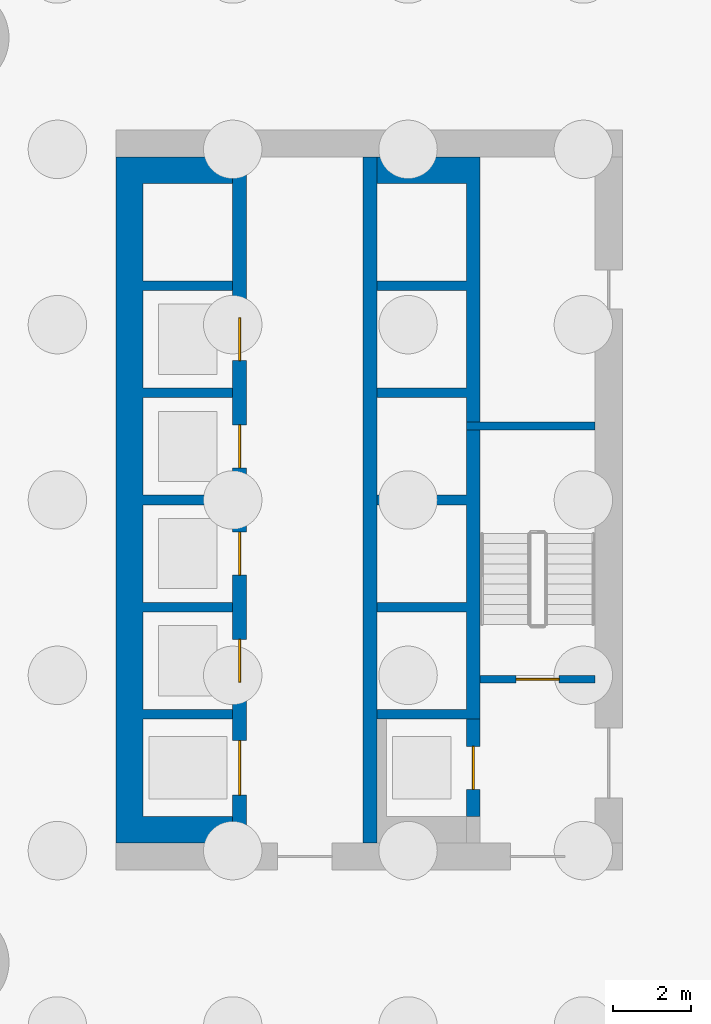
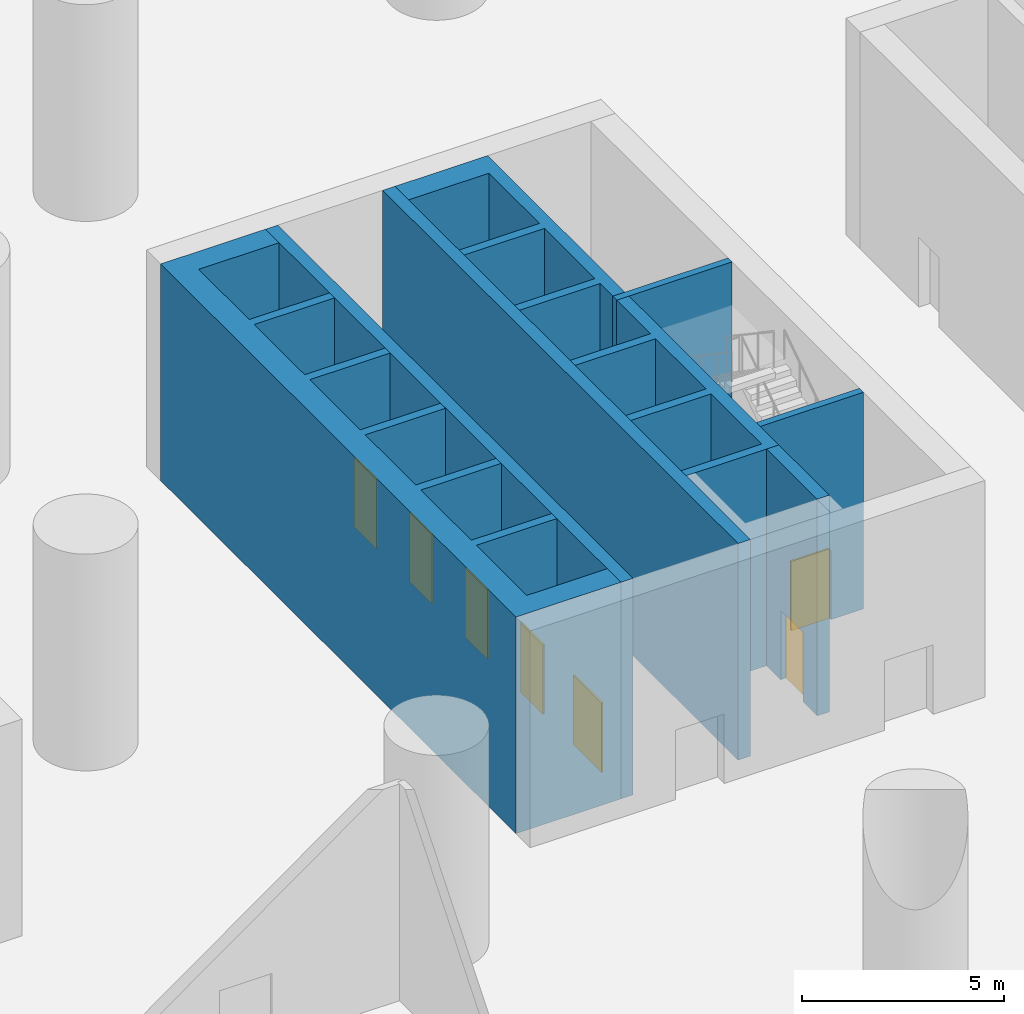
# One storey, part 5 of 13: 7 doors, 7 walls, 7 openings.
"""IFC4 building model written with IfcOpenShell, lengths in metres."""

from ifc_helpers import new_model, si_unit, direction, frame, frame_2d, origin, place, context, subcontext, project, spatial, polyline, rectangle, outline, extrude, material, layer, layer_set, type_object, element, fill, save


model = new_model("IFC4")

# Units and contexts
model_context = context("Model", 3, precision=1e-05, world=origin(), true_north=direction((0.0, 1.0)))
body_context = subcontext(model_context, "Body", "Model", "MODEL_VIEW")
ifc_project = project(units=[si_unit("LENGTHUNIT", "METRE"), si_unit("AREAUNIT", "SQUARE_METRE"), si_unit("VOLUMEUNIT", "CUBIC_METRE"), si_unit("PLANEANGLEUNIT", "RADIAN"), si_unit("MASSUNIT", "GRAM", prefix="KILO")], contexts=[model_context])

# Site, building, storey
site_placement = place(None, origin())
site = spatial("IfcSite", under=ifc_project, at=site_placement, CompositionType="ELEMENT")
building_placement = place(site_placement, origin())
building = spatial("IfcBuilding", under=site, at=building_placement, Name="Tamarind Cross Interchange Tower", CompositionType="ELEMENT")
storey_placement = place(building_placement, frame((0.0, 0.0, -21.0)))
storey = spatial("IfcBuildingStorey", under=building, at=storey_placement, Name="B3", CompositionType="ELEMENT", Elevation=-21.0)

# Walls
ifc_material_1 = material(Name="Concrete C80", Category="concrete")
ifc_layer_1 = layer(ifc_material_1, 0.699951171875)
ifc_layer_set_1 = layer_set([ifc_layer_1], Name="Concrete C80")
wall_type_1 = type_object("IfcWallType", Name="Core wall 700 mm Concrete C80", PredefinedType="SHEAR", material=ifc_layer_set_1)
wall_1_placement = place(storey_placement, origin())
element("IfcWall", 1, at=wall_1_placement, inside=storey, type_object=wall_type_1, Name="Core wall CWL-B3-W-A", PredefinedType="SHEAR", context=body_context, shape_type="SweptSolid", body=[
    extrude(outline(polyline([(-13.5, -8.800048828125), (-13.5, -8.125), (-15.800048828125, -8.125), (-15.800048828125, -5.625), (-13.5, -5.625), (-13.5, -5.375), (-15.800048828125, -5.375), (-15.800048828125, -2.875), (-13.5, -2.875), (-13.5, -2.625), (-15.800048828125, -2.625), (-15.800048828125, -0.125), (-13.5, -0.125), (-13.5, 0.125), (-15.800048828125, 0.125), (-15.800048828125, 2.625), (-13.5, 2.625), (-13.5, 2.875), (-15.800048828125, 2.875), (-15.800048828125, 5.375), (-13.5, 5.375), (-13.5, 5.625), (-15.800048828125, 5.625), (-15.800048828125, 8.125), (-13.5, 8.125), (-13.5, 8.800048828125), (-15.800048828125, 8.800048828125), (-16.5, 8.800048828125), (-16.5, -8.800048828125), (-15.800048828125, -8.800048828125), (-13.5, -8.800048828125)])), origin(), (0.0, 0.0, 1.0), 6.550048828125),
])
ifc_layer_2 = layer(ifc_material_1, 0.199951171875)
ifc_layer_set_2 = layer_set([ifc_layer_2], Name="Concrete C80")
wall_type_2 = type_object("IfcWallType", Name="Core web wall 200 mm Concrete C80", PredefinedType="SHEAR", material=ifc_layer_set_2)
wall_2_placement = place(storey_placement, frame((-7.5, 1.89990234375, 0.0), z_axis=(0.0, 0.0, 1.0), x_axis=(1.0, 0.0, 0.0)))
element("IfcWall", 2, at=wall_2_placement, inside=storey, type_object=wall_type_2, Name="Core wall CWL-B3-W-BD", PredefinedType="SHEAR", context=body_context, shape_type="SweptSolid", body=[
    extrude(rectangle(XDim=3.300048828125, YDim=0.199951171875, at=frame_2d((1.64990234375, 0.0))), origin(), (0.0, 0.0, 1.0), 6.550048828125),
])
ifc_layer_3 = layer(ifc_material_1, 0.35009765625)
ifc_layer_set_3 = layer_set([ifc_layer_3], Name="Concrete C80")
wall_type_3 = type_object("IfcWallType", Name="Core web wall 350 mm Concrete C80", PredefinedType="SHEAR", material=ifc_layer_set_3)
wall_3_placement = place(storey_placement, origin())
element("IfcWall", 3, at=wall_3_placement, inside=storey, type_object=wall_type_3, Name="Core wall CWL-B3-W-BN", PredefinedType="SHEAR", context=body_context, shape_type="SweptSolid", body=[
    extrude(outline(polyline([(-9.800048828125, -5.375), (-9.800048828125, -5.625), (-7.5, -5.625), (-7.14990234375, -5.625), (-7.14990234375, 8.800048828125), (-7.5, 8.800048828125), (-9.800048828125, 8.800048828125), (-9.800048828125, 8.125), (-7.5, 8.125), (-7.5, 5.625), (-9.800048828125, 5.625), (-9.800048828125, 5.375), (-7.5, 5.375), (-7.5, 2.875), (-9.800048828125, 2.875), (-9.800048828125, 2.625), (-7.5, 2.625), (-7.5, 0.125), (-9.800048828125, 0.125), (-9.800048828125, -0.125), (-7.5, -0.125), (-7.5, -2.625), (-9.800048828125, -2.625), (-9.800048828125, -2.875), (-7.5, -2.875), (-7.5, -5.375), (-9.800048828125, -5.375)])), origin(), (0.0, 0.0, 1.0), 6.550048828125),
])

# Wall, openings, doors
wall_4_placement = place(storey_placement, frame((-13.324951171875, -8.800048828125, 0.0), z_axis=(0.0, 0.0, 1.0), x_axis=(0.0, 1.0, 0.0)))
wall_4 = element("IfcWall", 4, at=wall_4_placement, inside=storey, type_object=wall_type_3, Name="Core wall CWL-B3-W-LA", PredefinedType="SHEAR", context=body_context, shape_type="SweptSolid", body=[
    extrude(rectangle(XDim=17.60009765625, YDim=0.35009765625, at=frame_2d((8.800048828125, 0.0))), origin(), (0.0, 0.0, 1.0), 6.550048828125),
])
opening_1_placement = place(wall_4_placement, frame((1.22509765625, 0.0, 0.0)))
opening_1 = element("IfcOpeningElement", 5, at=opening_1_placement, cuts=wall_4, Name="Opening LD1B3", PredefinedType="OPENING", context=body_context, shape_type="SweptSolid", body=[
    extrude(rectangle(XDim=1.39990234375, YDim=2.10009765625, at=frame_2d((0.699951171875, 1.050048828125))), frame((0.0, 0.18505859375, 0.0), z_axis=(0.0, -1.0, 0.0), x_axis=(1.0, 0.0, 0.0)), (0.0, 0.0, 1.0), 0.3701171875),
])
opening_2_placement = place(wall_4_placement, frame((4.125, 0.0, 0.0)))
opening_2 = element("IfcOpeningElement", 6, at=opening_2_placement, cuts=wall_4, Name="Opening LD2B3", PredefinedType="OPENING", context=body_context, shape_type="SweptSolid", body=[
    extrude(rectangle(XDim=1.10009765625, YDim=2.10009765625, at=frame_2d((0.550048828125, 1.050048828125))), frame((0.0, 0.18505859375, 0.0), z_axis=(0.0, -1.0, 0.0), x_axis=(1.0, 0.0, 0.0)), (0.0, 0.0, 1.0), 0.3701171875),
])
opening_3_placement = place(wall_4_placement, frame((6.875, 0.0, 0.0)))
opening_3 = element("IfcOpeningElement", 7, at=opening_3_placement, cuts=wall_4, Name="Opening LD3B3", PredefinedType="OPENING", context=body_context, shape_type="SweptSolid", body=[
    extrude(rectangle(XDim=1.10009765625, YDim=2.10009765625, at=frame_2d((0.550048828125, 1.050048828125))), frame((0.0, 0.18505859375, 0.0), z_axis=(0.0, -1.0, 0.0), x_axis=(1.0, 0.0, 0.0)), (0.0, 0.0, 1.0), 0.3701171875),
])
opening_4_placement = place(wall_4_placement, frame((9.625, 0.0, 0.0)))
opening_4 = element("IfcOpeningElement", 8, at=opening_4_placement, cuts=wall_4, Name="Opening LD4B3", PredefinedType="OPENING", context=body_context, shape_type="SweptSolid", body=[
    extrude(rectangle(XDim=1.10009765625, YDim=2.10009765625, at=frame_2d((0.550048828125, 1.050048828125))), frame((0.0, 0.18505859375, 0.0), z_axis=(0.0, -1.0, 0.0), x_axis=(1.0, 0.0, 0.0)), (0.0, 0.0, 1.0), 0.3701171875),
])
opening_5_placement = place(wall_4_placement, frame((12.375, 0.0, 0.0)))
opening_5 = element("IfcOpeningElement", 9, at=opening_5_placement, cuts=wall_4, Name="Opening LD5B3", PredefinedType="OPENING", context=body_context, shape_type="SweptSolid", body=[
    extrude(rectangle(XDim=1.10009765625, YDim=2.10009765625, at=frame_2d((0.550048828125, 1.050048828125))), frame((0.0, 0.18505859375, 0.0), z_axis=(0.0, -1.0, 0.0), x_axis=(1.0, 0.0, 0.0)), (0.0, 0.0, 1.0), 0.3701171875),
])
ifc_material_2 = material(Name="Stainless steel panel", Category="steel")
door_type_1 = type_object("IfcDoorType", Name="Lift landing door 1100 x 2100 E 120", OperationType="SLIDING_TO_LEFT", PredefinedType="DOOR", material=ifc_material_2)
door_1_placement = place(opening_2_placement, origin())
door_1 = element("IfcDoor", 10, at=door_1_placement, inside=storey, type_object=door_type_1, Name="B3 landing door LF2", OperationType="SLIDING_TO_LEFT", OverallHeight=2.10009765625, OverallWidth=1.10009765625, PredefinedType="DOOR", context=body_context, shape_type="SweptSolid", body=[
    extrude(rectangle(XDim=1.10009765625, YDim=2.10009765625, at=frame_2d((0.550048828125, 1.050048828125))), frame((0.0, 0.02490234375, 0.0), z_axis=(0.0, -1.0, 0.0), x_axis=(1.0, 0.0, 0.0)), (0.0, 0.0, 1.0), 0.050048828125),
])
fill(opening_2, door_1)
door_2_placement = place(opening_3_placement, origin())
door_2 = element("IfcDoor", 11, at=door_2_placement, inside=storey, type_object=door_type_1, Name="B3 landing door LF3", OperationType="SLIDING_TO_LEFT", OverallHeight=2.10009765625, OverallWidth=1.10009765625, PredefinedType="DOOR", context=body_context, shape_type="SweptSolid", body=[
    extrude(rectangle(XDim=1.10009765625, YDim=2.10009765625, at=frame_2d((0.550048828125, 1.050048828125))), frame((0.0, 0.02490234375, 0.0), z_axis=(0.0, -1.0, 0.0), x_axis=(1.0, 0.0, 0.0)), (0.0, 0.0, 1.0), 0.050048828125),
])
fill(opening_3, door_2)
door_3_placement = place(opening_4_placement, origin())
door_3 = element("IfcDoor", 12, at=door_3_placement, inside=storey, type_object=door_type_1, Name="B3 landing door LF4", OperationType="SLIDING_TO_LEFT", OverallHeight=2.10009765625, OverallWidth=1.10009765625, PredefinedType="DOOR", context=body_context, shape_type="SweptSolid", body=[
    extrude(rectangle(XDim=1.10009765625, YDim=2.10009765625, at=frame_2d((0.550048828125, 1.050048828125))), frame((0.0, 0.02490234375, 0.0), z_axis=(0.0, -1.0, 0.0), x_axis=(1.0, 0.0, 0.0)), (0.0, 0.0, 1.0), 0.050048828125),
])
fill(opening_4, door_3)
door_4_placement = place(opening_5_placement, origin())
door_4 = element("IfcDoor", 13, at=door_4_placement, inside=storey, type_object=door_type_1, Name="B3 landing door LF5", OperationType="SLIDING_TO_LEFT", OverallHeight=2.10009765625, OverallWidth=1.10009765625, PredefinedType="DOOR", context=body_context, shape_type="SweptSolid", body=[
    extrude(rectangle(XDim=1.10009765625, YDim=2.10009765625, at=frame_2d((0.550048828125, 1.050048828125))), frame((0.0, 0.02490234375, 0.0), z_axis=(0.0, -1.0, 0.0), x_axis=(1.0, 0.0, 0.0)), (0.0, 0.0, 1.0), 0.050048828125),
])
fill(opening_5, door_4)
door_type_2 = type_object("IfcDoorType", Name="Lift landing door 1400 x 2100 E 120", OperationType="SLIDING_TO_LEFT", PredefinedType="DOOR", material=ifc_material_2)
door_5_placement = place(opening_1_placement, origin())
door_5 = element("IfcDoor", 14, at=door_5_placement, inside=storey, type_object=door_type_2, Name="B3 landing door LF1", OperationType="SLIDING_TO_LEFT", OverallHeight=2.10009765625, OverallWidth=1.39990234375, PredefinedType="DOOR", context=body_context, shape_type="SweptSolid", body=[
    extrude(rectangle(XDim=1.39990234375, YDim=2.10009765625, at=frame_2d((0.699951171875, 1.050048828125))), frame((0.0, 0.02490234375, 0.0), z_axis=(0.0, -1.0, 0.0), x_axis=(1.0, 0.0, 0.0)), (0.0, 0.0, 1.0), 0.050048828125),
])
fill(opening_1, door_5)

# Wall
wall_5_placement = place(storey_placement, frame((-9.97509765625, -8.800048828125, 0.0), z_axis=(0.0, 0.0, 1.0), x_axis=(0.0, 1.0, 0.0)))
element("IfcWall", 15, at=wall_5_placement, inside=storey, type_object=wall_type_3, Name="Core wall CWL-B3-W-LB", PredefinedType="SHEAR", context=body_context, shape_type="SweptSolid", body=[
    extrude(rectangle(XDim=17.60009765625, YDim=0.35009765625, at=frame_2d((8.800048828125, 0.0))), origin(), (0.0, 0.0, 1.0), 6.550048828125),
])

# Wall, opening, door
wall_6_placement = place(storey_placement, frame((-7.324951171875, -8.125, 0.0), z_axis=(0.0, 0.0, 1.0), x_axis=(0.0, 1.0, 0.0)))
wall_6 = element("IfcWall", 16, at=wall_6_placement, inside=storey, type_object=wall_type_3, Name="Core wall CWL-B3-W-FF", PredefinedType="SHEAR", context=body_context, shape_type="SweptSolid", body=[
    extrude(rectangle(XDim=2.5, YDim=0.35009765625, at=frame_2d((1.25, 0.0))), origin(), (0.0, 0.0, 1.0), 6.550048828125),
])
opening_6_placement = place(wall_6_placement, frame((0.699951171875, 0.0, 0.0)))
opening_6 = element("IfcOpeningElement", 17, at=opening_6_placement, cuts=wall_6, Name="Opening LD7B3", PredefinedType="OPENING", context=body_context, shape_type="SweptSolid", body=[
    extrude(rectangle(XDim=1.10009765625, YDim=2.10009765625, at=frame_2d((0.550048828125, 1.050048828125))), frame((0.0, 0.18505859375, 0.0), z_axis=(0.0, -1.0, 0.0), x_axis=(1.0, 0.0, 0.0)), (0.0, 0.0, 1.0), 0.3701171875),
])
door_6_placement = place(opening_6_placement, origin())
door_6 = element("IfcDoor", 18, at=door_6_placement, inside=storey, type_object=door_type_1, Name="B3 landing door LF7", OperationType="SLIDING_TO_LEFT", OverallHeight=2.10009765625, OverallWidth=1.10009765625, PredefinedType="DOOR", context=body_context, shape_type="SweptSolid", body=[
    extrude(rectangle(XDim=1.10009765625, YDim=2.10009765625, at=frame_2d((0.550048828125, 1.050048828125))), frame((0.0, 0.02490234375, 0.0), z_axis=(0.0, -1.0, 0.0), x_axis=(1.0, 0.0, 0.0)), (0.0, 0.0, 1.0), 0.050048828125),
])
fill(opening_6, door_6)

ifc_material_3 = material(Name="Concrete C40", Category="concrete")
ifc_layer_4 = layer(ifc_material_3, 0.199951171875)
ifc_layer_set_4 = layer_set([ifc_layer_4], Name="Concrete C40")
wall_type_4 = type_object("IfcWallType", Name="Stair shaft wall 200 mm Concrete C40", PredefinedType="SHEAR", material=ifc_layer_set_4)
wall_7_placement = place(storey_placement, frame((-7.14990234375, -4.60009765625, 0.0), z_axis=(0.0, 0.0, 1.0), x_axis=(1.0, 0.0, 0.0)))
wall_7 = element("IfcWall", 19, at=wall_7_placement, inside=storey, type_object=wall_type_4, Name="Core wall CWL-B3-W-SD", PredefinedType="SHEAR", context=body_context, shape_type="SweptSolid", body=[
    extrude(rectangle(XDim=2.949951171875, YDim=0.199951171875, at=frame_2d((1.47509765625, 0.0))), origin(), (0.0, 0.0, 1.0), 6.550048828125),
])
opening_7_placement = place(wall_7_placement, frame((0.925048828125, 0.0, 0.0)))
opening_7 = element("IfcOpeningElement", 20, at=opening_7_placement, cuts=wall_7, Name="Opening DCW6", PredefinedType="OPENING", context=body_context, shape_type="SweptSolid", body=[
    extrude(rectangle(XDim=1.10009765625, YDim=2.10009765625, at=frame_2d((0.550048828125, 1.050048828125))), frame((0.0, 0.10986328125, 0.0), z_axis=(0.0, -1.0, 0.0), x_axis=(1.0, 0.0, 0.0)), (0.0, 0.0, 1.0), 0.219970703125),
])
ifc_material_4 = material(Name="Steel, fire-resisting", Category="steel")
door_type_3 = type_object("IfcDoorType", Name="Core fire door 1100 x 2100 FD90", OperationType="SINGLE_SWING_LEFT", PredefinedType="DOOR", material=ifc_material_4)
door_7_placement = place(opening_7_placement, origin())
door_7 = element("IfcDoor", 21, at=door_7_placement, inside=storey, type_object=door_type_3, Name="B3 stair door", OperationType="SINGLE_SWING_LEFT", OverallHeight=2.10009765625, OverallWidth=1.10009765625, PredefinedType="DOOR", context=body_context, shape_type="SweptSolid", body=[
    extrude(rectangle(XDim=1.10009765625, YDim=2.10009765625, at=frame_2d((0.550048828125, 1.050048828125))), frame((0.0, 0.02490234375, 0.0), z_axis=(0.0, -1.0, 0.0), x_axis=(1.0, 0.0, 0.0)), (0.0, 0.0, 1.0), 0.050048828125),
])
fill(opening_7, door_7)

save(model, "model.ifc")
